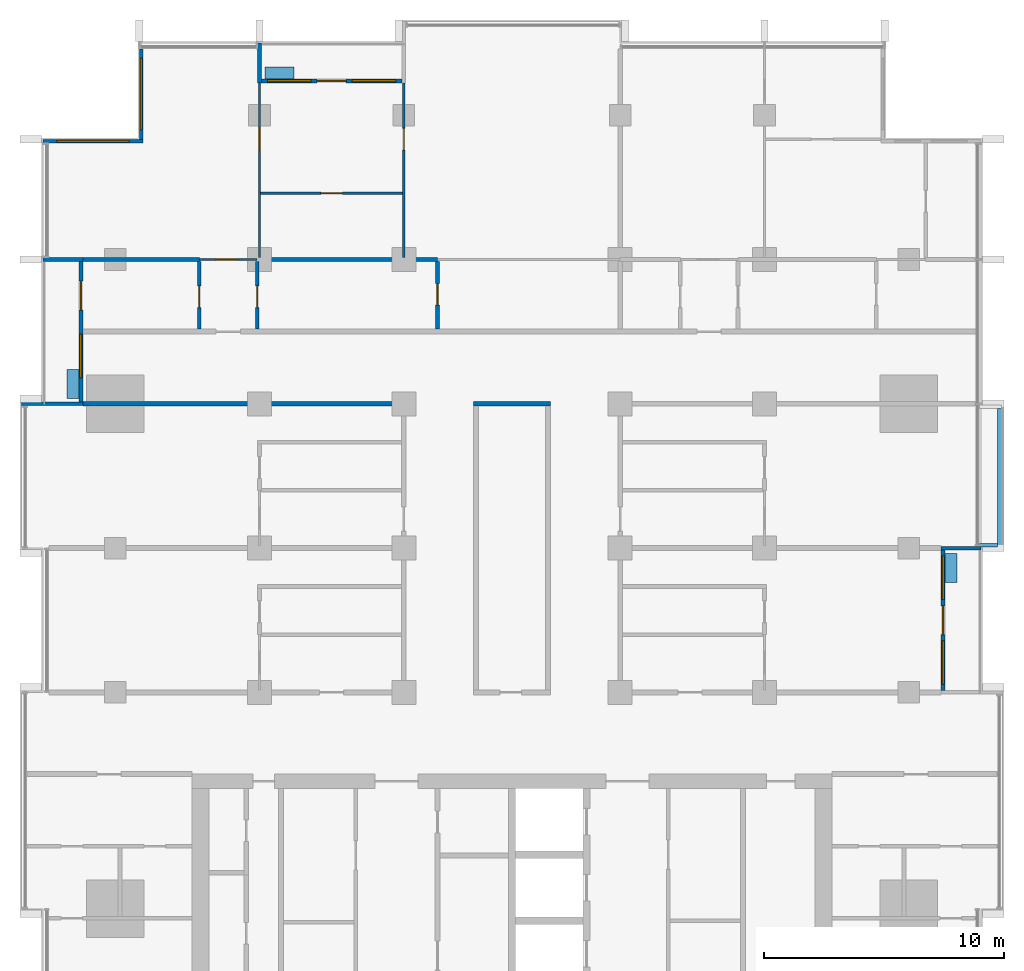
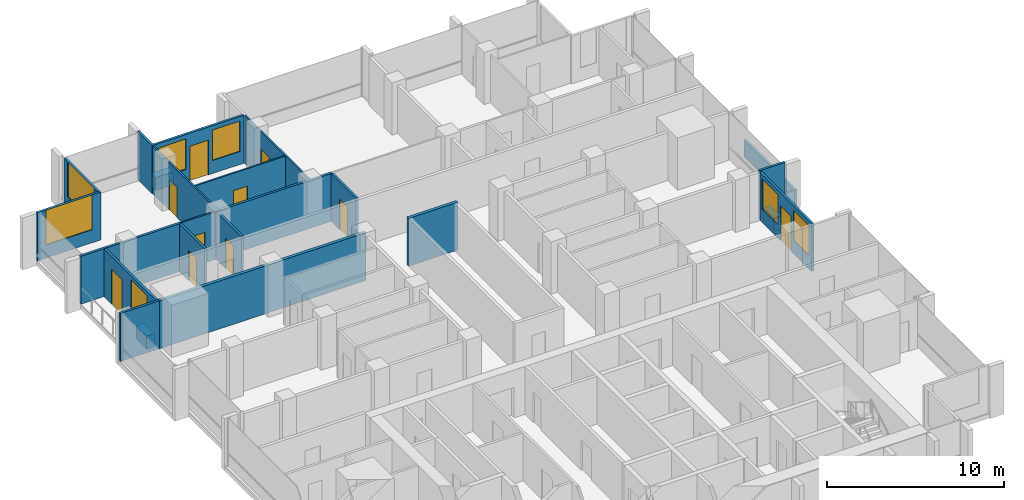
# One storey, part 10 of 16: 25 walls, 10 doors, 7 windows, 17 openings.
"""IFC4 building model written with IfcOpenShell, lengths in metres."""

from ifc_helpers import new_model, si_unit, direction, frame, frame_2d, origin, place, context, subcontext, project, spatial, rectangle, extrude, material, layer, layer_set, type_object, element, fill, save


model = new_model("IFC4")

# Units and contexts
model_context = context("Model", 3, precision=1e-05, world=origin(), true_north=direction((0.0, 1.0)))
body_context = subcontext(model_context, "Body", "Model", "MODEL_VIEW")
ifc_project = project(units=[si_unit("LENGTHUNIT", "METRE"), si_unit("AREAUNIT", "SQUARE_METRE"), si_unit("VOLUMEUNIT", "CUBIC_METRE"), si_unit("PLANEANGLEUNIT", "RADIAN"), si_unit("MASSUNIT", "GRAM", prefix="KILO")], contexts=[model_context])

# Site, building, storey
site_placement = place(None, origin())
site = spatial("IfcSite", under=ifc_project, at=site_placement, CompositionType="ELEMENT")
building_placement = place(site_placement, origin())
building = spatial("IfcBuilding", under=site, at=building_placement, Name="Finial Court Residences", CompositionType="ELEMENT")
storey_placement = place(building_placement, frame((0.0, 0.0, 163.699951171875)))
storey = spatial("IfcBuildingStorey", under=building, at=storey_placement, Name="L40", CompositionType="ELEMENT", Elevation=163.699951171875)

# Walls
ifc_material_1 = material(Name="Gypsum board")
ifc_layer_1 = layer(ifc_material_1, 0.02490234375)
ifc_material_2 = material(Name="Acoustic mineral wool in double frame")
ifc_layer_2 = layer(ifc_material_2, 0.14990234375)
ifc_layer_3 = layer(ifc_material_1, 0.02490234375)
ifc_layer_set_1 = layer_set([ifc_layer_1, ifc_layer_2, ifc_layer_3], Name="Corridor wall 200, 1 hour")
wall_type_1 = type_object("IfcWallType", Name="Corridor wall 200, 1 hour", PredefinedType="PARTITIONING", material=ifc_layer_set_1)
wall_1_placement = place(storey_placement, frame((-17.85009765625, 7.5, 0.0), z_axis=(0.0, 0.0, 1.0), x_axis=(1.0, 0.0, 0.0)))
element("IfcWall", 1, at=wall_1_placement, inside=storey, type_object=wall_type_1, Name="Partition L40-019", PredefinedType="PARTITIONING", context=body_context, shape_type="SweptSolid", body=[
    extrude(rectangle(XDim=13.4501953125, YDim=0.199951171875, at=frame_2d((6.72509765625, 0.0))), origin(), (0.0, 0.0, 1.0), 3.300048828125),
])
wall_2_placement = place(storey_placement, frame((-1.60009765625, 7.5, 0.0), z_axis=(0.0, 0.0, 1.0), x_axis=(1.0, 0.0, 0.0)))
element("IfcWall", 2, at=wall_2_placement, inside=storey, type_object=wall_type_1, Name="Partition L40-020", PredefinedType="PARTITIONING", context=body_context, shape_type="SweptSolid", body=[
    extrude(rectangle(XDim=3.2001953125, YDim=0.199951171875, at=frame_2d((1.60009765625, 0.0))), origin(), (0.0, 0.0, 1.0), 3.300048828125),
])

# Wall, opening, door
ifc_layer_4 = layer(ifc_material_1, 0.012451171875)
ifc_material_3 = material(Name="Mineral wool in light-gauge frame")
ifc_layer_5 = layer(ifc_material_3, 0.074951171875)
ifc_layer_6 = layer(ifc_material_1, 0.012451171875)
ifc_layer_set_2 = layer_set([ifc_layer_4, ifc_layer_5, ifc_layer_6], Name="Gypsum board partition 100")
wall_type_2 = type_object("IfcWallType", Name="Gypsum board partition 100", PredefinedType="PARTITIONING", material=ifc_layer_set_2)
wall_3_placement = place(storey_placement, frame((-13.0, 13.5, 0.0), z_axis=(0.0, 0.0, 1.0), x_axis=(1.0, 0.0, 0.0)))
wall_3 = element("IfcWall", 3, at=wall_3_placement, inside=storey, type_object=wall_type_2, Name="Partition L40-023", PredefinedType="PARTITIONING", context=body_context, shape_type="SweptSolid", body=[
    extrude(rectangle(XDim=2.39990234375, YDim=0.10009765625, at=frame_2d((1.199951171875, 0.0))), origin(), (0.0, 0.0, 1.0), 3.300048828125),
])
opening_1_placement = place(wall_3_placement, frame((0.699951171875, 0.0, 0.0)))
opening_1 = element("IfcOpeningElement", 4, at=opening_1_placement, cuts=wall_3, Name="Opening L40-D014", PredefinedType="OPENING", context=body_context, shape_type="SweptSolid", body=[
    extrude(rectangle(XDim=0.89990234375, YDim=2.10009765625, at=frame_2d((0.449951171875, 1.050048828125))), frame((0.0, 0.06005859375, 0.0), z_axis=(0.0, -1.0, 0.0), x_axis=(1.0, 0.0, 0.0)), (0.0, 0.0, 1.0), 0.1201171875),
])
ifc_material_4 = material(Name="Timber door leaf in timber frame", Category="wood")
door_type_1 = type_object("IfcDoorType", Name="Door set 900 x 2100", OperationType="SINGLE_SWING_LEFT", PredefinedType="DOOR", material=ifc_material_4)
door_1_placement = place(opening_1_placement, origin())
door_1 = element("IfcDoor", 5, at=door_1_placement, inside=storey, type_object=door_type_1, Name="Door L40-D014", OperationType="SINGLE_SWING_RIGHT", OverallHeight=2.10009765625, OverallWidth=0.89990234375, PredefinedType="DOOR", context=body_context, shape_type="SweptSolid", body=[
    extrude(rectangle(XDim=0.89990234375, YDim=2.10009765625, at=frame_2d((0.449951171875, 1.050048828125))), frame((0.0, 0.02490234375, 0.0), z_axis=(0.0, -1.0, 0.0), x_axis=(1.0, 0.0, 0.0)), (0.0, 0.0, 1.0), 0.050048828125),
])
fill(opening_1, door_1)

wall_4_placement = place(storey_placement, frame((-10.449951171875, 16.25, 0.0), z_axis=(0.0, 0.0, 1.0), x_axis=(1.0, 0.0, 0.0)))
wall_4 = element("IfcWall", 6, at=wall_4_placement, inside=storey, type_object=wall_type_2, Name="Partition L40-032", PredefinedType="PARTITIONING", context=body_context, shape_type="SweptSolid", body=[
    extrude(rectangle(XDim=5.89990234375, YDim=0.10009765625, at=frame_2d((2.949951171875, 0.0))), origin(), (0.0, 0.0, 1.0), 3.300048828125),
])
opening_2_placement = place(wall_4_placement, frame((2.5, 0.0, 0.0)))
opening_2 = element("IfcOpeningElement", 7, at=opening_2_placement, cuts=wall_4, Name="Opening L40-D016", PredefinedType="OPENING", context=body_context, shape_type="SweptSolid", body=[
    extrude(rectangle(XDim=0.89990234375, YDim=2.10009765625, at=frame_2d((0.449951171875, 1.050048828125))), frame((0.0, 0.06005859375, 0.0), z_axis=(0.0, -1.0, 0.0), x_axis=(1.0, 0.0, 0.0)), (0.0, 0.0, 1.0), 0.1201171875),
])
door_2_placement = place(opening_2_placement, origin())
door_2 = element("IfcDoor", 8, at=door_2_placement, inside=storey, type_object=door_type_1, Name="Door L40-D016", OperationType="SINGLE_SWING_LEFT", OverallHeight=2.10009765625, OverallWidth=0.89990234375, PredefinedType="DOOR", context=body_context, shape_type="SweptSolid", body=[
    extrude(rectangle(XDim=0.89990234375, YDim=2.10009765625, at=frame_2d((0.449951171875, 1.050048828125))), frame((0.0, 0.02490234375, 0.0), z_axis=(0.0, -1.0, 0.0), x_axis=(1.0, 0.0, 0.0)), (0.0, 0.0, 1.0), 0.050048828125),
])
fill(opening_2, door_2)

wall_5_placement = place(storey_placement, frame((-10.5, 13.574951171875, 0.0), z_axis=(0.0, 0.0, 1.0), x_axis=(0.0, 1.0, 0.0)))
wall_5 = element("IfcWall", 9, at=wall_5_placement, inside=storey, type_object=wall_type_2, Name="Partition L40-039", PredefinedType="PARTITIONING", context=body_context, shape_type="SweptSolid", body=[
    extrude(rectangle(XDim=7.275146484375, YDim=0.10009765625, at=frame_2d((3.6376953125, 0.0))), origin(), (0.0, 0.0, 1.0), 3.300048828125),
])
opening_3_placement = place(wall_5_placement, frame((4.47509765625, 0.0, 0.0)))
opening_3 = element("IfcOpeningElement", 10, at=opening_3_placement, cuts=wall_5, Name="Opening L40-D022", PredefinedType="OPENING", context=body_context, shape_type="SweptSolid", body=[
    extrude(rectangle(XDim=0.89990234375, YDim=2.10009765625, at=frame_2d((0.449951171875, 1.050048828125))), frame((0.0, 0.06005859375, 0.0), z_axis=(0.0, -1.0, 0.0), x_axis=(1.0, 0.0, 0.0)), (0.0, 0.0, 1.0), 0.1201171875),
])
door_3_placement = place(opening_3_placement, origin())
door_3 = element("IfcDoor", 11, at=door_3_placement, inside=storey, type_object=door_type_1, Name="Door L40-D022", OperationType="SINGLE_SWING_RIGHT", OverallHeight=2.10009765625, OverallWidth=0.89990234375, PredefinedType="DOOR", context=body_context, shape_type="SweptSolid", body=[
    extrude(rectangle(XDim=0.89990234375, YDim=2.10009765625, at=frame_2d((0.449951171875, 1.050048828125))), frame((0.0, 0.02490234375, 0.0), z_axis=(0.0, -1.0, 0.0), x_axis=(1.0, 0.0, 0.0)), (0.0, 0.0, 1.0), 0.050048828125),
])
fill(opening_3, door_3)

wall_6_placement = place(storey_placement, frame((-4.5, 13.574951171875, 0.0), z_axis=(0.0, 0.0, 1.0), x_axis=(0.0, 1.0, 0.0)))
wall_6 = element("IfcWall", 12, at=wall_6_placement, inside=storey, type_object=wall_type_2, Name="Partition L40-043", PredefinedType="PARTITIONING", context=body_context, shape_type="SweptSolid", body=[
    extrude(rectangle(XDim=7.275146484375, YDim=0.10009765625, at=frame_2d((3.6376953125, 0.0))), origin(), (0.0, 0.0, 1.0), 3.300048828125),
])
opening_4_placement = place(wall_6_placement, frame((4.47509765625, 0.0, 0.0)))
opening_4 = element("IfcOpeningElement", 13, at=opening_4_placement, cuts=wall_6, Name="Opening L40-D026", PredefinedType="OPENING", context=body_context, shape_type="SweptSolid", body=[
    extrude(rectangle(XDim=0.89990234375, YDim=2.10009765625, at=frame_2d((0.449951171875, 1.050048828125))), frame((0.0, 0.06005859375, 0.0), z_axis=(0.0, -1.0, 0.0), x_axis=(1.0, 0.0, 0.0)), (0.0, 0.0, 1.0), 0.1201171875),
])
door_4_placement = place(opening_4_placement, origin())
door_4 = element("IfcDoor", 14, at=door_4_placement, inside=storey, type_object=door_type_1, Name="Door L40-D026", OperationType="SINGLE_SWING_RIGHT", OverallHeight=2.10009765625, OverallWidth=0.89990234375, PredefinedType="DOOR", context=body_context, shape_type="SweptSolid", body=[
    extrude(rectangle(XDim=0.89990234375, YDim=2.10009765625, at=frame_2d((0.449951171875, 1.050048828125))), frame((0.0, 0.02490234375, 0.0), z_axis=(0.0, -1.0, 0.0), x_axis=(1.0, 0.0, 0.0)), (0.0, 0.0, 1.0), 0.050048828125),
])
fill(opening_4, door_4)

# Walls
ifc_material_5 = material(Name="Moisture-resistant gypsum board")
ifc_layer_7 = layer(ifc_material_5, 0.012451171875)
ifc_layer_8 = layer(ifc_material_3, 0.125)
ifc_layer_9 = layer(ifc_material_5, 0.012451171875)
ifc_layer_set_3 = layer_set([ifc_layer_7, ifc_layer_8, ifc_layer_9], Name="Gypsum board wet-area partition 150")
wall_type_3 = type_object("IfcWallType", Name="Gypsum board wet-area partition 150", PredefinedType="PARTITIONING", material=ifc_layer_set_3)
wall_7_placement = place(storey_placement, frame((-17.85009765625, 13.5, 0.0), z_axis=(0.0, 0.0, 1.0), x_axis=(1.0, 0.0, 0.0)))
element("IfcWall", 15, at=wall_7_placement, inside=storey, type_object=wall_type_3, Name="Partition L40-027", PredefinedType="PARTITIONING", context=body_context, shape_type="SweptSolid", body=[
    extrude(rectangle(XDim=4.85009765625, YDim=0.14990234375, at=frame_2d((2.425048828125, 0.0))), origin(), (0.0, 0.0, 1.0), 3.300048828125),
])
wall_8_placement = place(storey_placement, frame((-10.5, 13.5, 0.0), z_axis=(0.0, 0.0, 1.0), x_axis=(1.0, 0.0, 0.0)))
element("IfcWall", 16, at=wall_8_placement, inside=storey, type_object=wall_type_3, Name="Partition L40-028", PredefinedType="PARTITIONING", context=body_context, shape_type="SweptSolid", body=[
    extrude(rectangle(XDim=7.39990234375, YDim=0.14990234375, at=frame_2d((3.699951171875, 0.0))), origin(), (0.0, 0.0, 1.0), 3.300048828125),
])

# Wall, opening, door
wall_9_placement = place(storey_placement, frame((-13.0, 10.60009765625, 0.0), z_axis=(0.0, 0.0, 1.0), x_axis=(0.0, 1.0, 0.0)))
wall_9 = element("IfcWall", 17, at=wall_9_placement, inside=storey, type_object=wall_type_3, Name="Partition L40-035", PredefinedType="PARTITIONING", context=body_context, shape_type="SweptSolid", body=[
    extrude(rectangle(XDim=2.824951171875, YDim=0.14990234375, at=frame_2d((1.41259765625, 0.0))), origin(), (0.0, 0.0, 1.0), 3.300048828125),
])
opening_5_placement = place(wall_9_placement, frame((0.89990234375, 0.0, 0.0)))
opening_5 = element("IfcOpeningElement", 18, at=opening_5_placement, cuts=wall_9, Name="Opening L40-D018", PredefinedType="OPENING", context=body_context, shape_type="SweptSolid", body=[
    extrude(rectangle(XDim=0.89990234375, YDim=2.10009765625, at=frame_2d((0.449951171875, 1.050048828125))), frame((0.0, 0.0849609375, 0.0), z_axis=(0.0, -1.0, 0.0), x_axis=(1.0, 0.0, 0.0)), (0.0, 0.0, 1.0), 0.169921875),
])
door_5_placement = place(opening_5_placement, origin())
door_5 = element("IfcDoor", 19, at=door_5_placement, inside=storey, type_object=door_type_1, Name="Door L40-D018", OperationType="SINGLE_SWING_LEFT", OverallHeight=2.10009765625, OverallWidth=0.89990234375, PredefinedType="DOOR", context=body_context, shape_type="SweptSolid", body=[
    extrude(rectangle(XDim=0.89990234375, YDim=2.10009765625, at=frame_2d((0.449951171875, 1.050048828125))), frame((0.0, 0.02490234375, 0.0), z_axis=(0.0, -1.0, 0.0), x_axis=(1.0, 0.0, 0.0)), (0.0, 0.0, 1.0), 0.050048828125),
])
fill(opening_5, door_5)

wall_10_placement = place(storey_placement, frame((-10.60009765625, 10.60009765625, 0.0), z_axis=(0.0, 0.0, 1.0), x_axis=(0.0, 1.0, 0.0)))
wall_10 = element("IfcWall", 20, at=wall_10_placement, inside=storey, type_object=wall_type_3, Name="Partition L40-036", PredefinedType="PARTITIONING", context=body_context, shape_type="SweptSolid", body=[
    extrude(rectangle(XDim=2.824951171875, YDim=0.14990234375, at=frame_2d((1.41259765625, 0.0))), origin(), (0.0, 0.0, 1.0), 3.300048828125),
])
opening_6_placement = place(wall_10_placement, frame((0.89990234375, 0.0, 0.0)))
opening_6 = element("IfcOpeningElement", 21, at=opening_6_placement, cuts=wall_10, Name="Opening L40-D019", PredefinedType="OPENING", context=body_context, shape_type="SweptSolid", body=[
    extrude(rectangle(XDim=0.89990234375, YDim=2.10009765625, at=frame_2d((0.449951171875, 1.050048828125))), frame((0.0, 0.0849609375, 0.0), z_axis=(0.0, -1.0, 0.0), x_axis=(1.0, 0.0, 0.0)), (0.0, 0.0, 1.0), 0.169921875),
])
door_6_placement = place(opening_6_placement, origin())
door_6 = element("IfcDoor", 22, at=door_6_placement, inside=storey, type_object=door_type_1, Name="Door L40-D019", OperationType="SINGLE_SWING_LEFT", OverallHeight=2.10009765625, OverallWidth=0.89990234375, PredefinedType="DOOR", context=body_context, shape_type="SweptSolid", body=[
    extrude(rectangle(XDim=0.89990234375, YDim=2.10009765625, at=frame_2d((0.449951171875, 1.050048828125))), frame((0.0, 0.02490234375, 0.0), z_axis=(0.0, -1.0, 0.0), x_axis=(1.0, 0.0, 0.0)), (0.0, 0.0, 1.0), 0.050048828125),
])
fill(opening_6, door_6)

wall_11_placement = place(storey_placement, frame((-3.10009765625, 10.60009765625, 0.0), z_axis=(0.0, 0.0, 1.0), x_axis=(0.0, 1.0, 0.0)))
wall_11 = element("IfcWall", 23, at=wall_11_placement, inside=storey, type_object=wall_type_3, Name="Partition L40-044", PredefinedType="PARTITIONING", context=body_context, shape_type="SweptSolid", body=[
    extrude(rectangle(XDim=2.824951171875, YDim=0.14990234375, at=frame_2d((1.41259765625, 0.0))), origin(), (0.0, 0.0, 1.0), 3.300048828125),
])
opening_7_placement = place(wall_11_placement, frame((1.0, 0.0, 0.0)))
opening_7 = element("IfcOpeningElement", 24, at=opening_7_placement, cuts=wall_11, Name="Opening L40-D027", PredefinedType="OPENING", context=body_context, shape_type="SweptSolid", body=[
    extrude(rectangle(XDim=0.89990234375, YDim=2.10009765625, at=frame_2d((0.449951171875, 1.050048828125))), frame((0.0, 0.0849609375, 0.0), z_axis=(0.0, -1.0, 0.0), x_axis=(1.0, 0.0, 0.0)), (0.0, 0.0, 1.0), 0.169921875),
])
door_7_placement = place(opening_7_placement, origin())
door_7 = element("IfcDoor", 25, at=door_7_placement, inside=storey, type_object=door_type_1, Name="Door L40-D027", OperationType="SINGLE_SWING_LEFT", OverallHeight=2.10009765625, OverallWidth=0.89990234375, PredefinedType="DOOR", context=body_context, shape_type="SweptSolid", body=[
    extrude(rectangle(XDim=0.89990234375, YDim=2.10009765625, at=frame_2d((0.449951171875, 1.050048828125))), frame((0.0, 0.02490234375, 0.0), z_axis=(0.0, -1.0, 0.0), x_axis=(1.0, 0.0, 0.0)), (0.0, 0.0, 1.0), 0.050048828125),
])
fill(opening_7, door_7)

# Walls
ifc_material_6 = material(Name="Concrete C35/45", Category="concrete")
ifc_layer_10 = layer(ifc_material_6, 0.14990234375)
ifc_layer_set_4 = layer_set([ifc_layer_10], Name="Ledge parapet, Concrete C35/45 150")
wall_type_4 = type_object("IfcWallType", Name="Ledge parapet, Concrete C35/45 150", PredefinedType="PARAPET", material=ifc_layer_set_4)
wall_12_placement = place(storey_placement, frame((20.27490234375, 7.300048828125, 0.0), z_axis=(0.0, 0.0, 1.0), x_axis=(0.0, -1.0, 0.0)))
element("IfcWall", 26, at=wall_12_placement, inside=storey, type_object=wall_type_4, Name="E-L40-LED1-P2", PredefinedType="PARAPET", context=body_context, shape_type="SweptSolid", body=[
    extrude(rectangle(XDim=5.75, YDim=0.14990234375, at=frame_2d((2.875, 0.0))), origin(), (0.0, 0.0, 1.0), 1.150146484375),
])
wall_13_placement = place(storey_placement, frame((20.199951171875, 1.625, 0.0), z_axis=(0.0, 0.0, 1.0), x_axis=(-1.0, 0.0, 0.0)))
element("IfcWall", 27, at=wall_13_placement, inside=storey, type_object=wall_type_4, Name="E-L40-LED1-P3", PredefinedType="PARAPET", context=body_context, shape_type="SweptSolid", body=[
    extrude(rectangle(XDim=0.75244140625, YDim=0.14990234375, at=frame_2d((0.376220703125, 0.0))), origin(), (0.0, 0.0, 1.0), 1.150146484375),
])

# Wall, opening, window
ifc_material_7 = material(Name="Natural limestone", Category="masonry")
ifc_layer_11 = layer(ifc_material_7, 0.14990234375)
ifc_layer_set_5 = layer_set([ifc_layer_11], Name="Limestone clad wall 150")
wall_type_5 = type_object("IfcWallType", Name="Limestone clad wall 150", PredefinedType="SOLIDWALL", material=ifc_layer_set_5)
wall_14_placement = place(storey_placement, frame((-15.425048828125, 18.5, 0.0), z_axis=(0.0, 0.0, 1.0), x_axis=(0.0, 1.0, 0.0)))
wall_14 = element("IfcWall", 28, at=wall_14_placement, inside=storey, type_object=wall_type_5, Name="E-L40-NWW18", PredefinedType="SOLIDWALL", context=body_context, shape_type="SweptSolid", body=[
    extrude(rectangle(XDim=3.762451171875, YDim=0.14990234375, at=frame_2d((1.88134765625, 0.0))), origin(), (0.0, 0.0, 1.0), 3.300048828125),
])
opening_8_placement = place(wall_14_placement, frame((0.4013671875, 0.0, 0.89990234375)))
opening_8 = element("IfcOpeningElement", 29, at=opening_8_placement, cuts=wall_14, Name="Opening WE40-05", PredefinedType="OPENING", context=body_context, shape_type="SweptSolid", body=[
    extrude(rectangle(XDim=2.9599609375, YDim=2.39990234375, at=frame_2d((1.47998046875, 1.199951171875))), frame((0.0, 0.0849609375, 0.0), z_axis=(0.0, -1.0, 0.0), x_axis=(1.0, 0.0, 0.0)), (0.0, 0.0, 1.0), 0.169921875),
])
ifc_material_8 = material(Name="Clear low-e glass", Category="glass")
window_type_1 = type_object("IfcWindowType", Name="Corner window 2960 x 2400", PartitioningType="SINGLE_PANEL", PredefinedType="WINDOW", material=ifc_material_8)
window_1_placement = place(opening_8_placement, origin())
window_1 = element("IfcWindow", 30, at=window_1_placement, inside=storey, type_object=window_type_1, Name="E-L40-NWW18-W1", OverallHeight=2.39990234375, OverallWidth=2.9599609375, PartitioningType="SINGLE_PANEL", PredefinedType="WINDOW", context=body_context, shape_type="SweptSolid", body=[
    extrude(rectangle(XDim=2.9599609375, YDim=2.39990234375, at=frame_2d((1.47998046875, 1.199951171875))), frame((0.0, 0.030029296875, 0.0), z_axis=(0.0, -1.0, 0.0), x_axis=(1.0, 0.0, 0.0)), (0.0, 0.0, 1.0), 0.06005859375),
])
fill(opening_8, window_1)

wall_15_placement = place(storey_placement, frame((-19.5, 18.425048828125, 0.0), z_axis=(0.0, 0.0, 1.0), x_axis=(1.0, 0.0, 0.0)))
wall_15 = element("IfcWall", 31, at=wall_15_placement, inside=storey, type_object=wall_type_5, Name="E-L40-NWN19", PredefinedType="SOLIDWALL", context=body_context, shape_type="SweptSolid", body=[
    extrude(rectangle(XDim=4.14990234375, YDim=0.14990234375, at=frame_2d((2.074951171875, 0.0))), origin(), (0.0, 0.0, 1.0), 3.300048828125),
])
opening_9_placement = place(wall_15_placement, frame((0.574951171875, 0.0, 0.89990234375)))
opening_9 = element("IfcOpeningElement", 32, at=opening_9_placement, cuts=wall_15, Name="Opening WE40-06", PredefinedType="OPENING", context=body_context, shape_type="SweptSolid", body=[
    extrude(rectangle(XDim=3.0, YDim=2.39990234375, at=frame_2d((1.5, 1.199951171875))), frame((0.0, 0.0849609375, 0.0), z_axis=(0.0, -1.0, 0.0), x_axis=(1.0, 0.0, 0.0)), (0.0, 0.0, 1.0), 0.169921875),
])
window_type_2 = type_object("IfcWindowType", Name="Corner window 3000 x 2400", PartitioningType="SINGLE_PANEL", PredefinedType="WINDOW", material=ifc_material_8)
window_2_placement = place(opening_9_placement, origin())
window_2 = element("IfcWindow", 33, at=window_2_placement, inside=storey, type_object=window_type_2, Name="E-L40-NWN19-W1", OverallHeight=2.39990234375, OverallWidth=3.0, PartitioningType="SINGLE_PANEL", PredefinedType="WINDOW", context=body_context, shape_type="SweptSolid", body=[
    extrude(rectangle(XDim=3.0, YDim=2.39990234375, at=frame_2d((1.5, 1.199951171875))), frame((0.0, 0.030029296875, 0.0), z_axis=(0.0, -1.0, 0.0), x_axis=(1.0, 0.0, 0.0)), (0.0, 0.0, 1.0), 0.06005859375),
])
fill(opening_9, window_2)

# Wall
wall_16_placement = place(storey_placement, frame((-10.5, 20.85009765625, 0.0), z_axis=(0.0, 0.0, 1.0), x_axis=(0.0, 1.0, 0.0)))
element("IfcWall", 34, at=wall_16_placement, inside=storey, type_object=wall_type_5, Name="E-L40-BALN2-P1", PredefinedType="SOLIDWALL", context=body_context, shape_type="SweptSolid", body=[
    extrude(rectangle(XDim=1.64990234375, YDim=0.14990234375, at=frame_2d((0.824951171875, 0.0))), origin(), (0.0, 0.0, 1.0), 3.300048828125),
])

# Wall, openings, door, windows
wall_17_placement = place(storey_placement, frame((-10.425048828125, 20.925048828125, 0.0), z_axis=(0.0, 0.0, 1.0), x_axis=(1.0, 0.0, 0.0)))
wall_17 = element("IfcWall", 35, at=wall_17_placement, inside=storey, type_object=wall_type_5, Name="E-L40-L40-BALN2-W", PredefinedType="SOLIDWALL", context=body_context, shape_type="SweptSolid", body=[
    extrude(rectangle(XDim=5.85009765625, YDim=0.14990234375, at=frame_2d((2.925048828125, 0.0))), origin(), (0.0, 0.0, 1.0), 3.300048828125),
])
opening_10_placement = place(wall_17_placement, frame((2.324951171875, 0.0, 0.0)))
opening_10 = element("IfcOpeningElement", 36, at=opening_10_placement, cuts=wall_17, Name="Opening DE40-01", PredefinedType="OPENING", context=body_context, shape_type="SweptSolid", body=[
    extrude(rectangle(XDim=1.199951171875, YDim=2.39990234375, at=frame_2d((0.60009765625, 1.199951171875))), frame((0.0, 0.0849609375, 0.0), z_axis=(0.0, -1.0, 0.0), x_axis=(1.0, 0.0, 0.0)), (0.0, 0.0, 1.0), 0.169921875),
])
opening_11_placement = place(wall_17_placement, frame((0.262451171875, 0.0, 0.89990234375)))
opening_11 = element("IfcOpeningElement", 37, at=opening_11_placement, cuts=wall_17, Name="Opening WE40-10", PredefinedType="OPENING", context=body_context, shape_type="SweptSolid", body=[
    extrude(rectangle(XDim=1.800048828125, YDim=2.10009765625, at=frame_2d((0.89990234375, 1.050048828125))), frame((0.0, 0.0849609375, 0.0), z_axis=(0.0, -1.0, 0.0), x_axis=(1.0, 0.0, 0.0)), (0.0, 0.0, 1.0), 0.169921875),
])
opening_12_placement = place(wall_17_placement, frame((3.78759765625, 0.0, 0.89990234375)))
opening_12 = element("IfcOpeningElement", 38, at=opening_12_placement, cuts=wall_17, Name="Opening WE40-11", PredefinedType="OPENING", context=body_context, shape_type="SweptSolid", body=[
    extrude(rectangle(XDim=1.800048828125, YDim=2.10009765625, at=frame_2d((0.89990234375, 1.050048828125))), frame((0.0, 0.0849609375, 0.0), z_axis=(0.0, -1.0, 0.0), x_axis=(1.0, 0.0, 0.0)), (0.0, 0.0, 1.0), 0.169921875),
])
ifc_material_9 = material(Name="Bronze anodised aluminium", Category="aluminium")
door_type_2 = type_object("IfcDoorType", Name="Balcony door 1200 x 2400", OperationType="SINGLE_SWING_LEFT", PredefinedType="DOOR", material=ifc_material_9)
door_8_placement = place(opening_10_placement, origin())
door_8 = element("IfcDoor", 39, at=door_8_placement, inside=storey, type_object=door_type_2, Name="E-L40-L40-BALN2-W-D", OperationType="SINGLE_SWING_LEFT", OverallHeight=2.39990234375, OverallWidth=1.199951171875, PredefinedType="DOOR", context=body_context, shape_type="SweptSolid", body=[
    extrude(rectangle(XDim=1.199951171875, YDim=2.39990234375, at=frame_2d((0.60009765625, 1.199951171875))), frame((0.0, 0.02490234375, 0.0), z_axis=(0.0, -1.0, 0.0), x_axis=(1.0, 0.0, 0.0)), (0.0, 0.0, 1.0), 0.050048828125),
])
fill(opening_10, door_8)
window_type_3 = type_object("IfcWindowType", Name="Balcony window 1800 x 2100", PartitioningType="SINGLE_PANEL", PredefinedType="WINDOW", material=ifc_material_8)
window_3_placement = place(opening_11_placement, origin())
window_3 = element("IfcWindow", 40, at=window_3_placement, inside=storey, type_object=window_type_3, Name="E-L40-L40-BALN2-W-W1", OverallHeight=2.10009765625, OverallWidth=1.800048828125, PartitioningType="SINGLE_PANEL", PredefinedType="WINDOW", context=body_context, shape_type="SweptSolid", body=[
    extrude(rectangle(XDim=1.800048828125, YDim=2.10009765625, at=frame_2d((0.89990234375, 1.050048828125))), frame((0.0, 0.030029296875, 0.0), z_axis=(0.0, -1.0, 0.0), x_axis=(1.0, 0.0, 0.0)), (0.0, 0.0, 1.0), 0.06005859375),
])
fill(opening_11, window_3)
window_4_placement = place(opening_12_placement, origin())
window_4 = element("IfcWindow", 41, at=window_4_placement, inside=storey, type_object=window_type_3, Name="E-L40-L40-BALN2-W-W2", OverallHeight=2.10009765625, OverallWidth=1.800048828125, PartitioningType="SINGLE_PANEL", PredefinedType="WINDOW", context=body_context, shape_type="SweptSolid", body=[
    extrude(rectangle(XDim=1.800048828125, YDim=2.10009765625, at=frame_2d((0.89990234375, 1.050048828125))), frame((0.0, 0.030029296875, 0.0), z_axis=(0.0, -1.0, 0.0), x_axis=(1.0, 0.0, 0.0)), (0.0, 0.0, 1.0), 0.06005859375),
])
fill(opening_12, window_4)

# Wall
wall_18_placement = place(storey_placement, frame((17.85009765625, 1.5, 0.0), z_axis=(0.0, 0.0, 1.0), x_axis=(1.0, 0.0, 0.0)))
element("IfcWall", 42, at=wall_18_placement, inside=storey, type_object=wall_type_5, Name="E-L40-BALE3-P2", PredefinedType="SOLIDWALL", context=body_context, shape_type="SweptSolid", body=[
    extrude(rectangle(XDim=1.64990234375, YDim=0.14990234375, at=frame_2d((0.824951171875, 0.0))), origin(), (0.0, 0.0, 1.0), 3.400146484375),
])

# Wall, openings, door, windows
wall_19_placement = place(storey_placement, frame((17.925048828125, 1.425048828125, 0.0), z_axis=(0.0, 0.0, 1.0), x_axis=(0.0, -1.0, 0.0)))
wall_19 = element("IfcWall", 43, at=wall_19_placement, inside=storey, type_object=wall_type_5, Name="E-L40-L40-BALE3-W", PredefinedType="SOLIDWALL", context=body_context, shape_type="SweptSolid", body=[
    extrude(rectangle(XDim=5.85009765625, YDim=0.14990234375, at=frame_2d((2.925048828125, 0.0))), origin(), (0.0, 0.0, 1.0), 3.300048828125),
])
opening_13_placement = place(wall_19_placement, frame((2.324951171875, 0.0, 0.0)))
opening_13 = element("IfcOpeningElement", 44, at=opening_13_placement, cuts=wall_19, Name="Opening DE40-02", PredefinedType="OPENING", context=body_context, shape_type="SweptSolid", body=[
    extrude(rectangle(XDim=1.199951171875, YDim=2.39990234375, at=frame_2d((0.60009765625, 1.199951171875))), frame((0.0, 0.0849609375, 0.0), z_axis=(0.0, -1.0, 0.0), x_axis=(1.0, 0.0, 0.0)), (0.0, 0.0, 1.0), 0.169921875),
])
opening_14_placement = place(wall_19_placement, frame((3.78759765625, 0.0, 0.89990234375)))
opening_14 = element("IfcOpeningElement", 45, at=opening_14_placement, cuts=wall_19, Name="Opening WE40-12", PredefinedType="OPENING", context=body_context, shape_type="SweptSolid", body=[
    extrude(rectangle(XDim=1.800048828125, YDim=2.10009765625, at=frame_2d((0.89990234375, 1.050048828125))), frame((0.0, 0.0849609375, 0.0), z_axis=(0.0, -1.0, 0.0), x_axis=(1.0, 0.0, 0.0)), (0.0, 0.0, 1.0), 0.169921875),
])
opening_15_placement = place(wall_19_placement, frame((0.262451171875, 0.0, 0.89990234375)))
opening_15 = element("IfcOpeningElement", 46, at=opening_15_placement, cuts=wall_19, Name="Opening WE40-13", PredefinedType="OPENING", context=body_context, shape_type="SweptSolid", body=[
    extrude(rectangle(XDim=1.800048828125, YDim=2.10009765625, at=frame_2d((0.89990234375, 1.050048828125))), frame((0.0, 0.0849609375, 0.0), z_axis=(0.0, -1.0, 0.0), x_axis=(1.0, 0.0, 0.0)), (0.0, 0.0, 1.0), 0.169921875),
])
door_9_placement = place(opening_13_placement, origin())
door_9 = element("IfcDoor", 47, at=door_9_placement, inside=storey, type_object=door_type_2, Name="E-L40-L40-BALE3-W-D", OperationType="SINGLE_SWING_RIGHT", OverallHeight=2.39990234375, OverallWidth=1.199951171875, PredefinedType="DOOR", context=body_context, shape_type="SweptSolid", body=[
    extrude(rectangle(XDim=1.199951171875, YDim=2.39990234375, at=frame_2d((0.60009765625, 1.199951171875))), frame((0.0, 0.02490234375, 0.0), z_axis=(0.0, -1.0, 0.0), x_axis=(1.0, 0.0, 0.0)), (0.0, 0.0, 1.0), 0.050048828125),
])
fill(opening_13, door_9)
window_5_placement = place(opening_14_placement, origin())
window_5 = element("IfcWindow", 48, at=window_5_placement, inside=storey, type_object=window_type_3, Name="E-L40-L40-BALE3-W-W1", OverallHeight=2.10009765625, OverallWidth=1.800048828125, PartitioningType="SINGLE_PANEL", PredefinedType="WINDOW", context=body_context, shape_type="SweptSolid", body=[
    extrude(rectangle(XDim=1.800048828125, YDim=2.10009765625, at=frame_2d((0.89990234375, 1.050048828125))), frame((0.0, 0.030029296875, 0.0), z_axis=(0.0, -1.0, 0.0), x_axis=(1.0, 0.0, 0.0)), (0.0, 0.0, 1.0), 0.06005859375),
])
fill(opening_14, window_5)
window_6_placement = place(opening_15_placement, origin())
window_6 = element("IfcWindow", 49, at=window_6_placement, inside=storey, type_object=window_type_3, Name="E-L40-L40-BALE3-W-W2", OverallHeight=2.10009765625, OverallWidth=1.800048828125, PartitioningType="SINGLE_PANEL", PredefinedType="WINDOW", context=body_context, shape_type="SweptSolid", body=[
    extrude(rectangle(XDim=1.800048828125, YDim=2.10009765625, at=frame_2d((0.89990234375, 1.050048828125))), frame((0.0, 0.030029296875, 0.0), z_axis=(0.0, -1.0, 0.0), x_axis=(1.0, 0.0, 0.0)), (0.0, 0.0, 1.0), 0.06005859375),
])
fill(opening_15, window_6)

# Walls
wall_20_placement = place(storey_placement, frame((-17.85009765625, 7.5, 0.0), z_axis=(0.0, 0.0, 1.0), x_axis=(-1.0, 0.0, 0.0)))
element("IfcWall", 50, at=wall_20_placement, inside=storey, type_object=wall_type_5, Name="E-L40-BALW5-P1", PredefinedType="SOLIDWALL", context=body_context, shape_type="SweptSolid", body=[
    extrude(rectangle(XDim=2.5498046875, YDim=0.14990234375, at=frame_2d((1.27490234375, 0.0))), origin(), (0.0, 0.0, 1.0), 3.300048828125),
])
wall_21_placement = place(storey_placement, frame((-17.85009765625, 13.5, 0.0), z_axis=(0.0, 0.0, 1.0), x_axis=(-1.0, 0.0, 0.0)))
element("IfcWall", 51, at=wall_21_placement, inside=storey, type_object=wall_type_5, Name="E-L40-BALW5-P2", PredefinedType="SOLIDWALL", context=body_context, shape_type="SweptSolid", body=[
    extrude(rectangle(XDim=1.64990234375, YDim=0.14990234375, at=frame_2d((0.824951171875, 0.0))), origin(), (0.0, 0.0, 1.0), 3.300048828125),
])

# Wall, openings, door, window
wall_22_placement = place(storey_placement, frame((-17.925048828125, 7.574951171875, 0.0), z_axis=(0.0, 0.0, 1.0), x_axis=(0.0, 1.0, 0.0)))
wall_22 = element("IfcWall", 52, at=wall_22_placement, inside=storey, type_object=wall_type_5, Name="E-L40-L40-BALW5-W", PredefinedType="SOLIDWALL", context=body_context, shape_type="SweptSolid", body=[
    extrude(rectangle(XDim=5.85009765625, YDim=0.14990234375, at=frame_2d((2.925048828125, 0.0))), origin(), (0.0, 0.0, 1.0), 3.300048828125),
])
opening_16_placement = place(wall_22_placement, frame((3.824951171875, 0.0, 0.0)))
opening_16 = element("IfcOpeningElement", 53, at=opening_16_placement, cuts=wall_22, Name="Opening DE40-03", PredefinedType="OPENING", context=body_context, shape_type="SweptSolid", body=[
    extrude(rectangle(XDim=1.199951171875, YDim=2.39990234375, at=frame_2d((0.60009765625, 1.199951171875))), frame((0.0, 0.0849609375, 0.0), z_axis=(0.0, -1.0, 0.0), x_axis=(1.0, 0.0, 0.0)), (0.0, 0.0, 1.0), 0.169921875),
])
opening_17_placement = place(wall_22_placement, frame((1.012451171875, 0.0, 0.89990234375)))
opening_17 = element("IfcOpeningElement", 54, at=opening_17_placement, cuts=wall_22, Name="Opening WE40-14", PredefinedType="OPENING", context=body_context, shape_type="SweptSolid", body=[
    extrude(rectangle(XDim=1.800048828125, YDim=2.10009765625, at=frame_2d((0.89990234375, 1.050048828125))), frame((0.0, 0.0849609375, 0.0), z_axis=(0.0, -1.0, 0.0), x_axis=(1.0, 0.0, 0.0)), (0.0, 0.0, 1.0), 0.169921875),
])
door_10_placement = place(opening_16_placement, origin())
door_10 = element("IfcDoor", 55, at=door_10_placement, inside=storey, type_object=door_type_2, Name="E-L40-L40-BALW5-W-D", OperationType="SINGLE_SWING_LEFT", OverallHeight=2.39990234375, OverallWidth=1.199951171875, PredefinedType="DOOR", context=body_context, shape_type="SweptSolid", body=[
    extrude(rectangle(XDim=1.199951171875, YDim=2.39990234375, at=frame_2d((0.60009765625, 1.199951171875))), frame((0.0, 0.02490234375, 0.0), z_axis=(0.0, -1.0, 0.0), x_axis=(1.0, 0.0, 0.0)), (0.0, 0.0, 1.0), 0.050048828125),
])
fill(opening_16, door_10)
window_7_placement = place(opening_17_placement, origin())
window_7 = element("IfcWindow", 56, at=window_7_placement, inside=storey, type_object=window_type_3, Name="E-L40-L40-BALW5-W-W1", OverallHeight=2.10009765625, OverallWidth=1.800048828125, PartitioningType="SINGLE_PANEL", PredefinedType="WINDOW", context=body_context, shape_type="SweptSolid", body=[
    extrude(rectangle(XDim=1.800048828125, YDim=2.10009765625, at=frame_2d((0.89990234375, 1.050048828125))), frame((0.0, 0.030029296875, 0.0), z_axis=(0.0, -1.0, 0.0), x_axis=(1.0, 0.0, 0.0)), (0.0, 0.0, 1.0), 0.06005859375),
])
fill(opening_17, window_7)

# Walls
ifc_material_10 = material(Name="Concrete C40/50", Category="concrete")
ifc_layer_12 = layer(ifc_material_10, 0.10009765625)
ifc_material_11 = material(Name="Planting soil", Category="soil")
ifc_layer_13 = layer(ifc_material_11, 0.300048828125)
ifc_layer_14 = layer(ifc_material_10, 0.10009765625)
ifc_layer_set_6 = layer_set([ifc_layer_12, ifc_layer_13, ifc_layer_14], Name="Planter wall, balcony")
wall_type_6 = type_object("IfcWallType", Name="Planter wall, balcony", PredefinedType="USERDEFINED", material=ifc_layer_set_6)
for number, where, z_axis, x_axis, name in (
    (57, (-10.27490234375, 21.25, 0.0), (0.0, 0.0, 1.0), (1.0, 0.0, 0.0), "E-L40-BALN2-PL"),
    (58, (18.25, 0.074951171875, 0.0), (0.0, 0.0, 1.0), (0.0, 1.0, 0.0), "E-L40-BALE3-PL"),
    (59, (-18.25, 7.72509765625, 0.0), (0.0, 0.0, 1.0), (0.0, 1.0, 0.0), "E-L40-BALW5-PL"),
):
    element("IfcWall", number, at=place(storey_placement, frame(where, z_axis=z_axis, x_axis=x_axis)), inside=storey, type_object=wall_type_6, Name=name, ObjectType="PLANTER", PredefinedType="USERDEFINED", context=body_context, shape_type="SweptSolid", body=[
        extrude(rectangle(XDim=1.199951171875, YDim=0.5, at=frame_2d((0.60009765625, 0.0))), origin(), (0.0, 0.0, 1.0), 0.900146484375),
    ])

save(model, "model.ifc")
